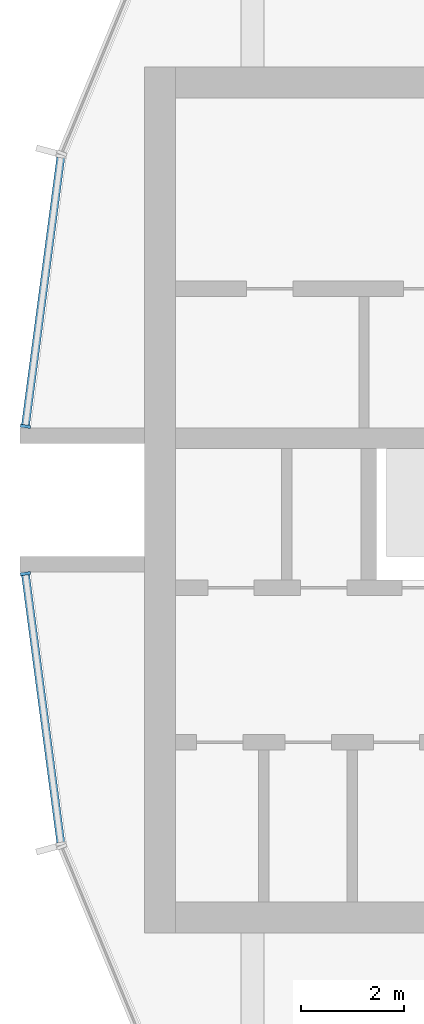
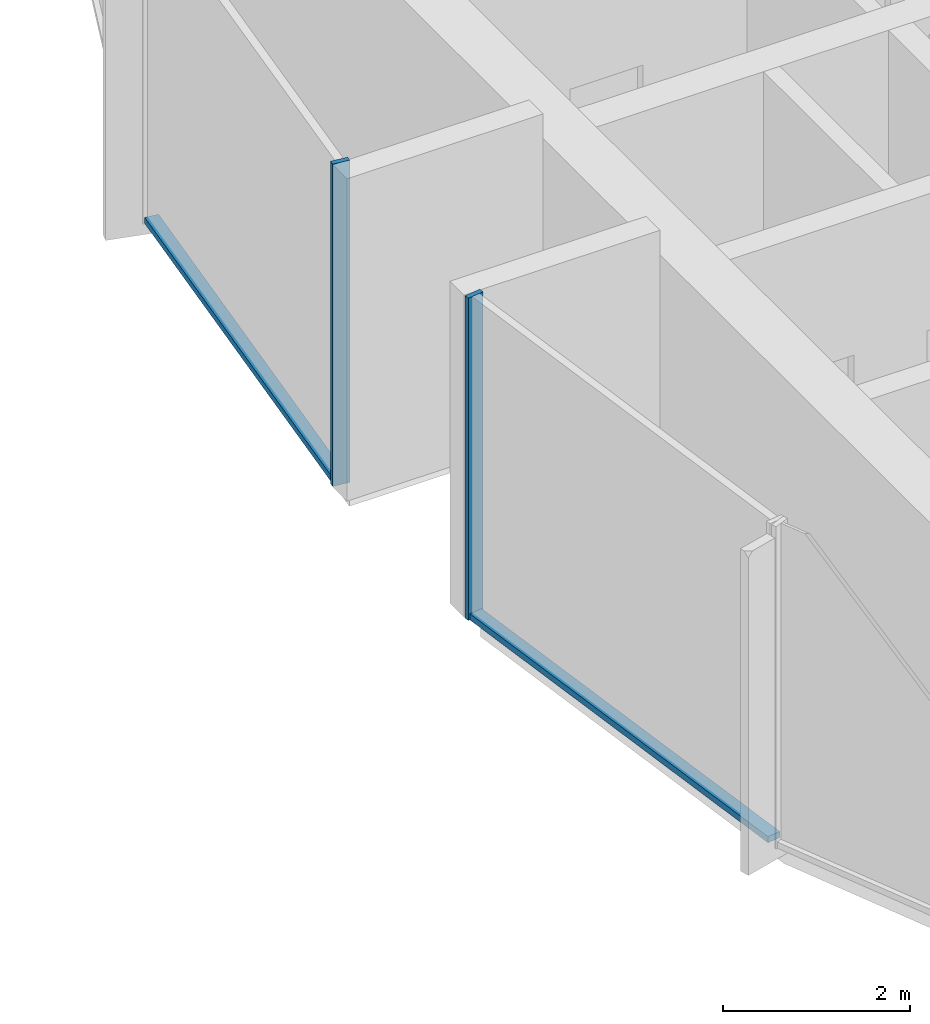
# One storey, part 3 of 15: 4 members, 2 elements without a shape of their own.
"""IFC4 building model written with IfcOpenShell, lengths in metres."""

from ifc_helpers import new_model, si_unit, direction, frame, origin, origin_2d, place, context, subcontext, project, spatial, rectangle, extrude, material, layer, layer_set, material_profile, profile_set, type_object, element, aggregate, save


model = new_model("IFC4")

# Units and contexts
model_context = context("Model", 3, precision=1e-05, world=origin(), true_north=direction((0.0, 1.0)))
body_context = subcontext(model_context, "Body", "Model", "MODEL_VIEW")
ifc_project = project(units=[si_unit("LENGTHUNIT", "METRE"), si_unit("AREAUNIT", "SQUARE_METRE"), si_unit("VOLUMEUNIT", "CUBIC_METRE"), si_unit("PLANEANGLEUNIT", "RADIAN"), si_unit("MASSUNIT", "GRAM", prefix="KILO")], contexts=[model_context])

# Site, building, storey
site_placement = place(None, origin())
site = spatial("IfcSite", under=ifc_project, at=site_placement, CompositionType="ELEMENT")
building_placement = place(site_placement, origin())
building = spatial("IfcBuilding", under=site, at=building_placement, Name="Torre Brocal", CompositionType="ELEMENT")
storey_placement = place(building_placement, frame((0.0, 0.0, 216.699951171875)))
storey = spatial("IfcBuildingStorey", under=building, at=storey_placement, Name="L50", CompositionType="ELEMENT", Elevation=216.699951171875)

# Curtain wall, member
ifc_material_1 = material(Name="Aluminium and glass", Category="aluminium")
ifc_layer = layer(ifc_material_1, 0.199951171875)
ifc_layer_set = layer_set([ifc_layer], Name="Aluminium and glass")
curtain_wall_type = type_object("IfcCurtainWallType", Name="CW-1B CURTAIN WALL 4200 HIGH", PredefinedType="NOTDEFINED", material=ifc_layer_set)
curtain_wall_1_placement = place(storey_placement, origin())
curtain_wall_1 = element("IfcCurtainWall", 1, at=curtain_wall_1_placement, inside=storey, type_object=curtain_wall_type, Name="CW-1B RUN 12", PredefinedType="NOTDEFINED")
ifc_material_2 = material(Name="Aluminium, dark anodised", Category="aluminium")
ifc_material_profile_1 = material_profile(ifc_material_2, rectangle(XDim=0.199951171875, YDim=0.06005859375, at=origin_2d()), Name="CW-1B MULLION 60X200")
ifc_profile_set_1 = profile_set([ifc_material_profile_1], Name="Aluminium, dark anodised")
member_type_1 = type_object("IfcMemberType", Name="CW-1B MULLION 60X200", PredefinedType="MULLION", material=ifc_profile_set_1)
member_1_placement = place(storey_placement, frame((54.2890625, 76.4296875, 0.0), z_axis=(0.0, 0.0, 1.0), x_axis=(0.991444861374, -0.13052619222, 0.0)))
member_1 = element("IfcMember", 2, at=member_1_placement, type_object=member_type_1, Name="CW1B-5 mullion 2", PredefinedType="MULLION", context=body_context, shape_type="SweptSolid", body=[
    extrude(rectangle(XDim=0.199951171875, YDim=0.06005859375, at=origin_2d()), origin(), (0.0, 0.0, 1.0), 4.199951171875),
])

curtain_wall_2_placement = place(storey_placement, origin())
curtain_wall_2 = element("IfcCurtainWall", 3, at=curtain_wall_2_placement, inside=storey, type_object=curtain_wall_type, Name="CW-1B RUN 13", PredefinedType="NOTDEFINED")
member_2_placement = place(storey_placement, frame((54.2890625, 73.5703125, 0.0), z_axis=(0.0, 0.0, 1.0), x_axis=(0.991444861374, 0.13052619222, 0.0)))
member_2 = element("IfcMember", 4, at=member_2_placement, type_object=member_type_1, Name="CW1B-5 mullion 1", PredefinedType="MULLION", context=body_context, shape_type="SweptSolid", body=[
    extrude(rectangle(XDim=0.199951171875, YDim=0.06005859375, at=origin_2d()), origin(), (0.0, 0.0, 1.0), 4.199951171875),
])

# Member
ifc_material_3 = material(Name="Aluminium, dark anodised", Category="aluminium")
ifc_material_profile_2 = material_profile(ifc_material_3, rectangle(XDim=0.159912109375, YDim=0.080078125, at=origin_2d()), Name="CW-1B TRANSOM 160X80")
ifc_profile_set_2 = profile_set([ifc_material_profile_2], Name="Aluminium, dark anodised")
member_type_2 = type_object("IfcMemberType", Name="CW-1B TRANSOM 160X80", PredefinedType="USERDEFINED", material=ifc_profile_set_2)
member_3_placement = place(storey_placement, frame((54.9755859375, 81.643798828125, 0.0400390625), z_axis=(-0.130542677827, -0.991442690863, 0.0), x_axis=(0.991442690863, -0.130542677827, 0.0)))
member_3 = element("IfcMember", 5, at=member_3_placement, type_object=member_type_2, Name="CW1B-5 transom 1.1", ObjectType="TRANSOM", PredefinedType="USERDEFINED", context=body_context, shape_type="SweptSolid", body=[
    extrude(rectangle(XDim=0.159912109375, YDim=0.080078125, at=origin_2d()), origin(), (0.0, 0.0, 1.0), 5.22900390625),
])

aggregate(curtain_wall_1, [member_1, member_3])

member_4_placement = place(storey_placement, frame((54.29296875, 73.54052734375, 0.0400390625), z_axis=(0.130542677827, -0.991442690863, 0.0), x_axis=(0.991442690863, 0.130542677827, 0.0)))
member_4 = element("IfcMember", 6, at=member_4_placement, type_object=member_type_2, Name="CW1B-5 transom 1.1", ObjectType="TRANSOM", PredefinedType="USERDEFINED", context=body_context, shape_type="SweptSolid", body=[
    extrude(rectangle(XDim=0.159912109375, YDim=0.080078125, at=origin_2d()), origin(), (0.0, 0.0, 1.0), 5.22900390625),
])

aggregate(curtain_wall_2, [member_2, member_4])

save(model, "model.ifc")
